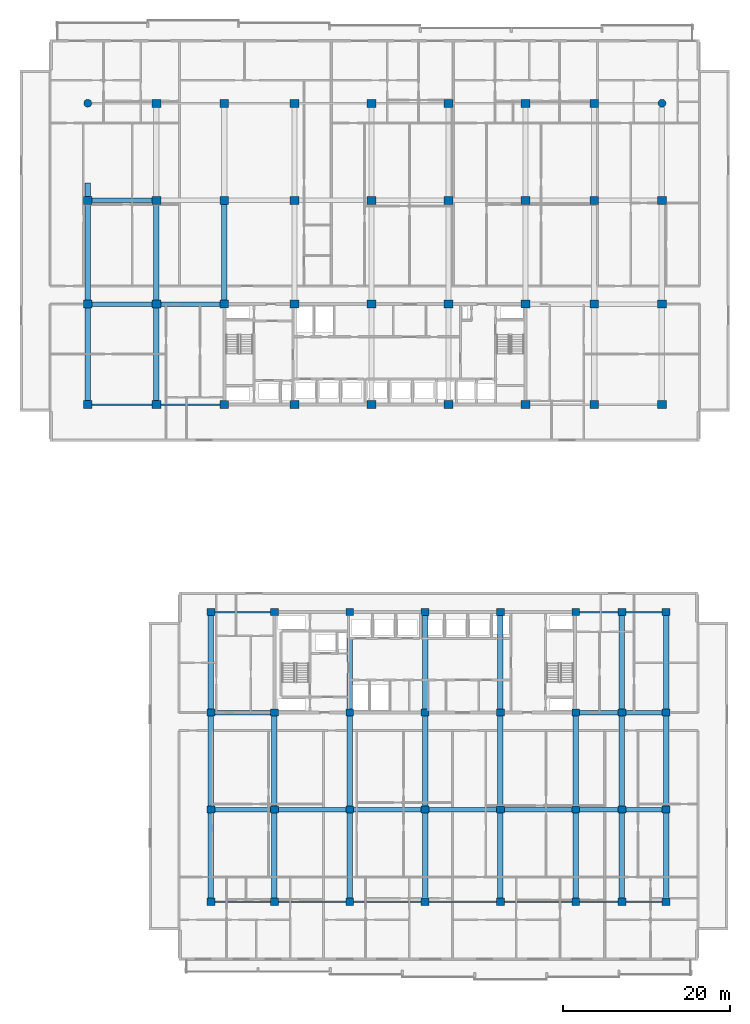
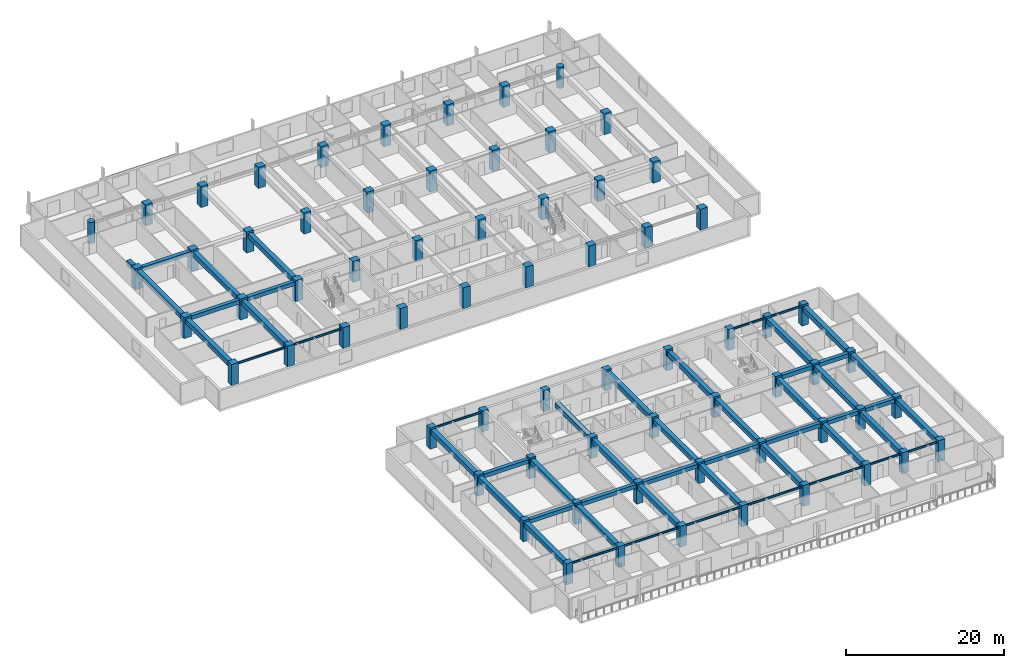
# One storey, part 1 of 23: 68 columns, 53 beams.
"""IFC4 building model written with IfcOpenShell, lengths in metres."""

import ifcopenshell
import ifcopenshell.guid

model = None  # the IFC model being written
_history = None  # IfcOwnerHistory: only IFC2X3 demands one
_inside = {}  # id of a spatial element -> (the spatial element, [elements in it])
_under = {}  # id of a project, library or spatial element -> (it, [spatial elements below it])
_declared = {}  # id of a project -> (the project, [libraries it declares])
_typed = {}  # id of a type object -> (the type object, [elements of that type])
_made_of = {}  # id of a material, layer set ... -> (it, [elements and type objects made of it])


def new_model(schema):
    """Start an empty IFC model of exactly this schema.

    Asked for "IFC4X3", IfcOpenShell would pick the latest addendum, in which some entities
    have other attributes; the version numbers below select the first issue.
    IFC2X3 requires an IfcOwnerHistory on every rooted entity: one is made here for all.
    """
    global model, _history
    if schema == "IFC4X3":
        model = ifcopenshell.file(schema_version=(4, 3, 0, 0))
    else:
        model = ifcopenshell.file(schema=schema)
    _inside.clear()
    _under.clear()
    _declared.clear()
    _typed.clear()
    _made_of.clear()
    _history = None
    if model.schema == "IFC2X3":
        org = make("IfcOrganization", Name="unknown")
        user = make(
            "IfcPersonAndOrganization",
            ThePerson=make("IfcPerson", FamilyName="unknown"),
            TheOrganization=org,
        )
        app = make(
            "IfcApplication",
            ApplicationDeveloper=org,
            Version="unknown",
            ApplicationFullName="unknown",
            ApplicationIdentifier="unknown",
        )
        _history = make(
            "IfcOwnerHistory",
            OwningUser=user,
            OwningApplication=app,
            ChangeAction="ADDED",
            CreationDate=0,
        )
    return model


def make(cls, **values):
    """One entity of the class cls with the attributes given. An attribute that is None is left unset."""
    return model.create_entity(
        cls, **{name: value for name, value in values.items() if value is not None}
    )


def rooted(cls, **values):
    """An entity with a GlobalId (a new one), such as an element, a storey or a relation."""
    return make(cls, GlobalId=ifcopenshell.guid.new(), OwnerHistory=_history, **values)


def si_unit(unit_type, name, prefix=None):
    """IfcSIUnit, for example si_unit("LENGTHUNIT", "METRE", prefix="MILLI")."""
    return make("IfcSIUnit", UnitType=unit_type, Prefix=prefix, Name=name)


def assignment(units):
    """IfcUnitAssignment: the units of a project."""
    return None if units is None else make("IfcUnitAssignment", Units=units)


def point(xyz):
    """IfcCartesianPoint."""
    return None if xyz is None else make("IfcCartesianPoint", Coordinates=xyz)


def direction(xyz):
    """IfcDirection."""
    return None if xyz is None else make("IfcDirection", DirectionRatios=xyz)


def frame(location, z_axis=None, x_axis=None):
    """IfcAxis2Placement3D, a coordinate frame: its origin and axes. An axis left out is left unset."""
    return make(
        "IfcAxis2Placement3D",
        Location=point(location),
        Axis=direction(z_axis),
        RefDirection=direction(x_axis),
    )


def frame_2d(location, x_axis=None):
    """IfcAxis2Placement2D, a coordinate frame in the plane: its origin and x axis."""
    return make(
        "IfcAxis2Placement2D", Location=point(location), RefDirection=direction(x_axis)
    )


def origin():
    """The frame at (0, 0, 0) with its axes left unset."""
    return frame((0.0, 0.0, 0.0))


def origin_2d():
    """The frame at (0, 0) in the plane with its x axis left unset."""
    return frame_2d((0.0, 0.0))


def place(relative_to, where):
    """IfcLocalPlacement: puts the frame where relative to a parent placement (None: the world)."""
    return make(
        "IfcLocalPlacement", PlacementRelTo=relative_to, RelativePlacement=where
    )


def context(
    kind, dimensions, precision=None, world=None, true_north=None, identifier=None
):
    """IfcGeometricRepresentationContext, for example the 3D "Model" context."""
    return make(
        "IfcGeometricRepresentationContext",
        ContextIdentifier=identifier,
        ContextType=kind,
        CoordinateSpaceDimension=dimensions,
        Precision=precision,
        WorldCoordinateSystem=world,
        TrueNorth=true_north,
    )


def subcontext(parent, identifier, kind, view, scale=None):
    """IfcGeometricRepresentationSubContext, for example "Body" below "Model"."""
    return make(
        "IfcGeometricRepresentationSubContext",
        ContextIdentifier=identifier,
        ContextType=kind,
        ParentContext=parent,
        TargetScale=scale,
        TargetView=view,
    )


def project(units=None, contexts=None):
    """IfcProject with its units and contexts."""
    return rooted(
        "IfcProject",
        Name="project",
        RepresentationContexts=contexts,
        UnitsInContext=assignment(units),
    )


def spatial(cls, under=None, at=None, **own):
    """A site, building, storey or space (cls), placed at a placement, below another one or the project."""
    s = rooted(cls, ObjectPlacement=at, **own)
    if under is not None:
        _under.setdefault(under.id(), (under, []))[1].append(s)
    return s


def profile(cls, at=None, kind="AREA", **sizes):
    """A parametric profile (cls). Its sizes go by their IFC names, for example OverallWidth=200.0."""
    return make(cls, ProfileType=kind, Position=at, **sizes)


def rectangle(**sizes):
    """IfcRectangleProfileDef."""
    return profile("IfcRectangleProfileDef", **sizes)


def circle(**sizes):
    """IfcCircleProfileDef."""
    return profile("IfcCircleProfileDef", **sizes)


def i_section(**sizes):
    """IfcIShapeProfileDef."""
    return profile("IfcIShapeProfileDef", **sizes)


def extrude(swept, where, along, depth):
    """IfcExtrudedAreaSolid: the profile swept, set in the frame where, extruded along a direction by depth."""
    return make(
        "IfcExtrudedAreaSolid",
        SweptArea=swept,
        Position=where,
        ExtrudedDirection=direction(along),
        Depth=depth,
    )


def shape(context_of_items, identifier, shape_type, items):
    """IfcShapeRepresentation: the items that make up one representation, for example the "Body"."""
    return make(
        "IfcShapeRepresentation",
        ContextOfItems=context_of_items,
        RepresentationIdentifier=identifier,
        RepresentationType=shape_type,
        Items=items,
    )


def material(Name=None, Category=None):
    """IfcMaterial."""
    return make("IfcMaterial", Name=Name, Category=Category)


def material_profile(
    of_material, cross_section, Name=None, Category=None, Priority=None
):
    """IfcMaterialProfile: a cross section and its material."""
    return make(
        "IfcMaterialProfile",
        Name=Name,
        Material=of_material,
        Profile=cross_section,
        Priority=Priority,
        Category=Category,
    )


def profile_set(profiles, Name=None, composite=None):
    """IfcMaterialProfileSet."""
    return make(
        "IfcMaterialProfileSet",
        Name=Name,
        MaterialProfiles=profiles,
        CompositeProfile=composite,
    )


def made_of(thing, what):
    """Note that an element or type object is made of a material, layer set ...; save() writes the relation."""
    if what is not None:
        _made_of.setdefault(what.id(), (what, []))[1].append(thing)
    return thing


def type_object(cls, material=None, **own):
    """A type object (cls), such as IfcWallType, which elements share."""
    return made_of(rooted(cls, **own), material)


def element(
    cls,
    number,
    at=None,
    inside=None,
    cuts=None,
    type_object=None,
    material=None,
    context=None,
    identifier="Body",
    shape_type=None,
    held_by="IfcProductDefinitionShape",
    body=None,
    shapes=None,
    **own,
):
    """One element of the class cls, such as IfcWall. Its Tag is "e" and its number.

    at: its placement. inside: the storey or other place that contains it. cuts: it is an
    opening in that element (IfcRelVoidsElement). A single representation is given by context,
    identifier, shape_type and body (its items); several are given by shapes. held_by: the class
    of the entity that holds the representations. save() writes the other relations.
    """
    e = rooted(cls, Tag="e%d" % number, ObjectPlacement=at, **own)
    if body is not None:
        shapes = [shape(context, identifier, shape_type, body)]
    if shapes is not None:
        e.Representation = make(held_by, Representations=shapes)
    if inside is not None:
        _inside.setdefault(inside.id(), (inside, []))[1].append(e)
    if cuts is not None:
        rooted(
            "IfcRelVoidsElement", RelatingBuildingElement=cuts, RelatedOpeningElement=e
        )
    if type_object is not None:
        _typed.setdefault(type_object.id(), (type_object, []))[1].append(e)
    return made_of(e, material)


def aggregate(whole, parts):
    """IfcRelAggregates: a whole, such as a stair, and the parts it consists of."""
    return rooted("IfcRelAggregates", RelatingObject=whole, RelatedObjects=parts)


def save(model, path):
    """Write the relations noted so far, then the file.

    IfcRelAggregates (storeys below a building ...), IfcRelContainedInSpatialStructure (elements
    in a storey), IfcRelDefinesByType, IfcRelAssociatesMaterial and IfcRelDeclares: one each for
    every whole, place, type object, material and project.
    """
    for whole, parts in _under.values():
        aggregate(whole, parts)
    for where, things in _inside.values():
        rooted(
            "IfcRelContainedInSpatialStructure",
            RelatedElements=things,
            RelatingStructure=where,
        )
    for kind, things in _typed.values():
        rooted("IfcRelDefinesByType", RelatedObjects=things, RelatingType=kind)
    for what, things in _made_of.values():
        rooted("IfcRelAssociatesMaterial", RelatedObjects=things, RelatingMaterial=what)
    for by, libraries in _declared.values():
        rooted("IfcRelDeclares", RelatingContext=by, RelatedDefinitions=libraries)
    model.write(path)


model = new_model("IFC4")

# Units and contexts
model_context = context("Model", 3, precision=1e-05, world=origin(), true_north=direction((0.0, 1.0)))
body_context = subcontext(model_context, "Body", "Model", "MODEL_VIEW")
ifc_project = project(units=[si_unit("LENGTHUNIT", "METRE"), si_unit("AREAUNIT", "SQUARE_METRE"), si_unit("VOLUMEUNIT", "CUBIC_METRE"), si_unit("PLANEANGLEUNIT", "RADIAN"), si_unit("MASSUNIT", "GRAM", prefix="KILO")], contexts=[model_context])

# Site, building, storey
site_placement = place(None, origin())
site = spatial("IfcSite", under=ifc_project, at=site_placement, CompositionType="ELEMENT")
building_placement = place(site_placement, origin())
building = spatial("IfcBuilding", under=site, at=building_placement, Name="Korimba Cascade Residences", CompositionType="ELEMENT")
storey_placement = place(building_placement, frame((0.0, 0.0, 46.75)))
storey = spatial("IfcBuildingStorey", under=building, at=storey_placement, Name="L12", CompositionType="ELEMENT", Elevation=46.75)

# Columns
ifc_material_1 = material(Name="Concrete C80/95", Category="concrete")
ifc_material_profile_1 = material_profile(ifc_material_1, rectangle(XDim=1.050048828125, YDim=0.949951171875, at=origin_2d()), Name="Concrete C80/95")
ifc_profile_set_1 = profile_set([ifc_material_profile_1], Name="Concrete C80/95")
column_type_1 = type_object("IfcColumnType", Name="COL-RC-1050", PredefinedType="COLUMN", material=ifc_profile_set_1)
for number, where, z_axis, x_axis, name in (
    (1, (59.800048828125, 55.199951171875, 0.0), (0.0, 0.0, 1.0), (1.0, 0.0, 0.0), "L12 Tower 1 Column 1.1"),
    (2, (59.800048828125, 67.199951171875, 0.0), (0.0, 0.0, 1.0), (1.0, 0.0, 0.0), "L12 Tower 1 Column 1.2"),
    (3, (59.800048828125, 79.60009765625, 0.0), (0.0, 0.0, 1.0), (1.0, 0.0, 0.0), "L12 Tower 1 Column 1.3"),
    (4, (68.0, 55.199951171875, 0.0), (0.0, 0.0, 1.0), (1.0, 0.0, 0.0), "L12 Tower 1 Column 2.1"),
    (5, (68.0, 67.199951171875, 0.0), (0.0, 0.0, 1.0), (1.0, 0.0, 0.0), "L12 Tower 1 Column 2.2"),
    (6, (68.0, 79.60009765625, 0.0), (0.0, 0.0, 1.0), (1.0, 0.0, 0.0), "L12 Tower 1 Column 2.3"),
    (7, (68.0, 91.199951171875, 0.0), (0.0, 0.0, 1.0), (1.0, 0.0, 0.0), "L12 Tower 1 Column 2.4"),
    (8, (76.10009765625, 55.199951171875, 0.0), (0.0, 0.0, 1.0), (1.0, 0.0, 0.0), "L12 Tower 1 Column 3.1"),
    (9, (76.10009765625, 67.199951171875, 0.0), (0.0, 0.0, 1.0), (1.0, 0.0, 0.0), "L12 Tower 1 Column 3.2"),
    (10, (76.10009765625, 79.60009765625, 0.0), (0.0, 0.0, 1.0), (1.0, 0.0, 0.0), "L12 Tower 1 Column 3.3"),
    (11, (76.10009765625, 91.199951171875, 0.0), (0.0, 0.0, 1.0), (1.0, 0.0, 0.0), "L12 Tower 1 Column 3.4"),
    (12, (84.5, 55.199951171875, 0.0), (0.0, 0.0, 1.0), (1.0, 0.0, 0.0), "L12 Tower 1 Column 4.1"),
    (13, (84.5, 67.199951171875, 0.0), (0.0, 0.0, 1.0), (1.0, 0.0, 0.0), "L12 Tower 1 Column 4.2"),
    (14, (84.5, 79.60009765625, 0.0), (0.0, 0.0, 1.0), (1.0, 0.0, 0.0), "L12 Tower 1 Column 4.3"),
    (15, (84.5, 91.199951171875, 0.0), (0.0, 0.0, 1.0), (1.0, 0.0, 0.0), "L12 Tower 1 Column 4.4"),
    (16, (93.699951171875, 55.199951171875, 0.0), (0.0, 0.0, 1.0), (1.0, 0.0, 0.0), "L12 Tower 1 Column 5.1"),
    (17, (93.699951171875, 67.199951171875, 0.0), (0.0, 0.0, 1.0), (1.0, 0.0, 0.0), "L12 Tower 1 Column 5.2"),
    (18, (93.699951171875, 79.60009765625, 0.0), (0.0, 0.0, 1.0), (1.0, 0.0, 0.0), "L12 Tower 1 Column 5.3"),
    (19, (93.699951171875, 91.199951171875, 0.0), (0.0, 0.0, 1.0), (1.0, 0.0, 0.0), "L12 Tower 1 Column 5.4"),
    (20, (102.89990234375, 55.199951171875, 0.0), (0.0, 0.0, 1.0), (1.0, 0.0, 0.0), "L12 Tower 1 Column 6.1"),
    (21, (102.89990234375, 67.199951171875, 0.0), (0.0, 0.0, 1.0), (1.0, 0.0, 0.0), "L12 Tower 1 Column 6.2"),
    (22, (102.89990234375, 79.60009765625, 0.0), (0.0, 0.0, 1.0), (1.0, 0.0, 0.0), "L12 Tower 1 Column 6.3"),
    (23, (102.89990234375, 91.199951171875, 0.0), (0.0, 0.0, 1.0), (1.0, 0.0, 0.0), "L12 Tower 1 Column 6.4"),
    (24, (112.10009765625, 55.199951171875, 0.0), (0.0, 0.0, 1.0), (1.0, 0.0, 0.0), "L12 Tower 1 Column 7.1"),
    (25, (112.10009765625, 67.199951171875, 0.0), (0.0, 0.0, 1.0), (1.0, 0.0, 0.0), "L12 Tower 1 Column 7.2"),
    (26, (112.10009765625, 79.60009765625, 0.0), (0.0, 0.0, 1.0), (1.0, 0.0, 0.0), "L12 Tower 1 Column 7.3"),
    (27, (112.10009765625, 91.199951171875, 0.0), (0.0, 0.0, 1.0), (1.0, 0.0, 0.0), "L12 Tower 1 Column 7.4"),
    (28, (120.300048828125, 55.199951171875, 0.0), (0.0, 0.0, 1.0), (1.0, 0.0, 0.0), "L12 Tower 1 Column 8.1"),
    (29, (120.300048828125, 67.199951171875, 0.0), (0.0, 0.0, 1.0), (1.0, 0.0, 0.0), "L12 Tower 1 Column 8.2"),
    (30, (120.300048828125, 79.60009765625, 0.0), (0.0, 0.0, 1.0), (1.0, 0.0, 0.0), "L12 Tower 1 Column 8.3"),
    (31, (120.300048828125, 91.199951171875, 0.0), (0.0, 0.0, 1.0), (1.0, 0.0, 0.0), "L12 Tower 1 Column 8.4"),
    (32, (128.39990234375, 55.199951171875, 0.0), (0.0, 0.0, 1.0), (1.0, 0.0, 0.0), "L12 Tower 1 Column 9.1"),
    (33, (128.39990234375, 67.199951171875, 0.0), (0.0, 0.0, 1.0), (1.0, 0.0, 0.0), "L12 Tower 1 Column 9.2"),
    (34, (128.39990234375, 79.60009765625, 0.0), (0.0, 0.0, 1.0), (1.0, 0.0, 0.0), "L12 Tower 1 Column 9.3"),
):
    element("IfcColumn", number, at=place(storey_placement, frame(where, z_axis=z_axis, x_axis=x_axis)), inside=storey, type_object=column_type_1, Name=name, PredefinedType="COLUMN", context=body_context, shape_type="SweptSolid", body=[
        extrude(rectangle(XDim=1.050048828125, YDim=0.949951171875, at=origin_2d()), origin(), (0.0, 0.0, 1.0), 3.25),
    ])
ifc_material_2 = material(Name="Concrete C65/80", Category="concrete")
ifc_material_profile_2 = material_profile(ifc_material_2, rectangle(XDim=0.949951171875, YDim=0.85009765625, at=origin_2d()), Name="Concrete C65/80")
ifc_profile_set_2 = profile_set([ifc_material_profile_2], Name="Concrete C65/80")
column_type_2 = type_object("IfcColumnType", Name="COL-RC-950", PredefinedType="COLUMN", material=ifc_profile_set_2)
for number, where, z_axis, x_axis, name in (
    (35, (74.5, -4.199951171875, 0.0), (0.0, 0.0, 1.0), (1.0, 0.0, 0.0), "L12 Tower 2 Column 1.1"),
    (36, (74.5, 6.800048828125, 0.0), (0.0, 0.0, 1.0), (1.0, 0.0, 0.0), "L12 Tower 2 Column 1.2"),
    (37, (74.5, 18.39990234375, 0.0), (0.0, 0.0, 1.0), (1.0, 0.0, 0.0), "L12 Tower 2 Column 1.3"),
    (38, (74.5, 30.39990234375, 0.0), (0.0, 0.0, 1.0), (1.0, 0.0, 0.0), "L12 Tower 2 Column 1.4"),
    (39, (82.10009765625, -4.199951171875, 0.0), (0.0, 0.0, 1.0), (1.0, 0.0, 0.0), "L12 Tower 2 Column 2.1"),
    (40, (82.10009765625, 6.800048828125, 0.0), (0.0, 0.0, 1.0), (1.0, 0.0, 0.0), "L12 Tower 2 Column 2.2"),
    (41, (82.10009765625, 18.39990234375, 0.0), (0.0, 0.0, 1.0), (1.0, 0.0, 0.0), "L12 Tower 2 Column 2.3"),
    (42, (82.10009765625, 30.39990234375, 0.0), (0.0, 0.0, 1.0), (1.0, 0.0, 0.0), "L12 Tower 2 Column 2.4"),
    (43, (91.10009765625, -4.199951171875, 0.0), (0.0, 0.0, 1.0), (1.0, 0.0, 0.0), "L12 Tower 2 Column 3.1"),
    (44, (91.10009765625, 6.800048828125, 0.0), (0.0, 0.0, 1.0), (1.0, 0.0, 0.0), "L12 Tower 2 Column 3.2"),
    (45, (91.10009765625, 18.39990234375, 0.0), (0.0, 0.0, 1.0), (1.0, 0.0, 0.0), "L12 Tower 2 Column 3.3"),
    (46, (91.10009765625, 30.39990234375, 0.0), (0.0, 0.0, 1.0), (1.0, 0.0, 0.0), "L12 Tower 2 Column 3.4"),
    (47, (100.10009765625, -4.199951171875, 0.0), (0.0, 0.0, 1.0), (1.0, 0.0, 0.0), "L12 Tower 2 Column 4.1"),
    (48, (100.10009765625, 6.800048828125, 0.0), (0.0, 0.0, 1.0), (1.0, 0.0, 0.0), "L12 Tower 2 Column 4.2"),
    (49, (100.10009765625, 18.39990234375, 0.0), (0.0, 0.0, 1.0), (1.0, 0.0, 0.0), "L12 Tower 2 Column 4.3"),
    (50, (100.10009765625, 30.39990234375, 0.0), (0.0, 0.0, 1.0), (1.0, 0.0, 0.0), "L12 Tower 2 Column 4.4"),
    (51, (109.10009765625, -4.199951171875, 0.0), (0.0, 0.0, 1.0), (1.0, 0.0, 0.0), "L12 Tower 2 Column 5.1"),
    (52, (109.10009765625, 6.800048828125, 0.0), (0.0, 0.0, 1.0), (1.0, 0.0, 0.0), "L12 Tower 2 Column 5.2"),
    (53, (109.10009765625, 18.39990234375, 0.0), (0.0, 0.0, 1.0), (1.0, 0.0, 0.0), "L12 Tower 2 Column 5.3"),
    (54, (109.10009765625, 30.39990234375, 0.0), (0.0, 0.0, 1.0), (1.0, 0.0, 0.0), "L12 Tower 2 Column 5.4"),
    (55, (118.10009765625, -4.199951171875, 0.0), (0.0, 0.0, 1.0), (1.0, 0.0, 0.0), "L12 Tower 2 Column 6.1"),
    (56, (118.10009765625, 6.800048828125, 0.0), (0.0, 0.0, 1.0), (1.0, 0.0, 0.0), "L12 Tower 2 Column 6.2"),
    (57, (118.10009765625, 18.39990234375, 0.0), (0.0, 0.0, 1.0), (1.0, 0.0, 0.0), "L12 Tower 2 Column 6.3"),
    (58, (118.10009765625, 30.39990234375, 0.0), (0.0, 0.0, 1.0), (1.0, 0.0, 0.0), "L12 Tower 2 Column 6.4"),
    (59, (123.60009765625, -4.199951171875, 0.0), (0.0, 0.0, 1.0), (1.0, 0.0, 0.0), "L12 Tower 2 Column 7.1"),
    (60, (123.60009765625, 6.800048828125, 0.0), (0.0, 0.0, 1.0), (1.0, 0.0, 0.0), "L12 Tower 2 Column 7.2"),
    (61, (123.60009765625, 18.39990234375, 0.0), (0.0, 0.0, 1.0), (1.0, 0.0, 0.0), "L12 Tower 2 Column 7.3"),
    (62, (123.60009765625, 30.39990234375, 0.0), (0.0, 0.0, 1.0), (1.0, 0.0, 0.0), "L12 Tower 2 Column 7.4"),
    (63, (128.89990234375, -4.199951171875, 0.0), (0.0, 0.0, 1.0), (1.0, 0.0, 0.0), "L12 Tower 2 Column 8.1"),
    (64, (128.89990234375, 6.800048828125, 0.0), (0.0, 0.0, 1.0), (1.0, 0.0, 0.0), "L12 Tower 2 Column 8.2"),
    (65, (128.89990234375, 18.39990234375, 0.0), (0.0, 0.0, 1.0), (1.0, 0.0, 0.0), "L12 Tower 2 Column 8.3"),
    (66, (128.89990234375, 30.39990234375, 0.0), (0.0, 0.0, 1.0), (1.0, 0.0, 0.0), "L12 Tower 2 Column 8.4"),
):
    element("IfcColumn", number, at=place(storey_placement, frame(where, z_axis=z_axis, x_axis=x_axis)), inside=storey, type_object=column_type_2, Name=name, PredefinedType="COLUMN", context=body_context, shape_type="SweptSolid", body=[
        extrude(rectangle(XDim=0.949951171875, YDim=0.85009765625, at=origin_2d()), origin(), (0.0, 0.0, 1.0), 3.25),
    ])
ifc_material_profile_3 = material_profile(ifc_material_1, circle(Radius=0.47509765625, at=origin_2d()), Name="Concrete C80/95")
ifc_profile_set_3 = profile_set([ifc_material_profile_3], Name="Concrete C80/95")
column_type_3 = type_object("IfcColumnType", Name="COL-RC-D950", PredefinedType="COLUMN", material=ifc_profile_set_3)
for number, where, z_axis, x_axis, name in (
    (67, (59.800048828125, 91.199951171875, 0.0), (0.0, 0.0, 1.0), (1.0, 0.0, 0.0), "L12 Tower 1 Column 1.4"),
    (68, (128.39990234375, 91.199951171875, 0.0), (0.0, 0.0, 1.0), (1.0, 0.0, 0.0), "L12 Tower 1 Column 9.4"),
):
    element("IfcColumn", number, at=place(storey_placement, frame(where, z_axis=z_axis, x_axis=x_axis)), inside=storey, type_object=column_type_3, Name=name, PredefinedType="COLUMN", context=body_context, shape_type="SweptSolid", body=[
        extrude(circle(Radius=0.47509765625, at=origin_2d()), origin(), (0.0, 0.0, 1.0), 3.25),
    ])

# Beams
ifc_material_3 = material(Name="Concrete C50/60", Category="concrete")
ifc_material_profile_4 = material_profile(ifc_material_3, rectangle(XDim=0.550048828125, YDim=0.60009765625, at=origin_2d()), Name="Concrete C50/60")
ifc_profile_set_4 = profile_set([ifc_material_profile_4], Name="Concrete C50/60")
beam_type_1 = type_object("IfcBeamType", Name="BM-RC-B600", PredefinedType="BEAM", material=ifc_profile_set_4)
beam_1_placement = place(storey_placement, frame((60.324951171875, 67.199951171875, 2.669921875), z_axis=(1.0, 0.0, 0.0), x_axis=(0.0, 1.0, 0.0)))
element("IfcBeam", 69, at=beam_1_placement, inside=storey, type_object=beam_type_1, Name="L12 T1 E-W Girder Y2 Bay 1", PredefinedType="BEAM", context=body_context, shape_type="SweptSolid", body=[
    extrude(rectangle(XDim=0.550048828125, YDim=0.60009765625, at=origin_2d()), origin(), (0.0, 0.0, 1.0), 7.150146484375),
])
beam_2_placement = place(storey_placement, frame((68.52490234375, 67.199951171875, 2.669921875), z_axis=(1.0, 0.0, 0.0), x_axis=(0.0, 1.0, 0.0)))
element("IfcBeam", 70, at=beam_2_placement, inside=storey, type_object=beam_type_1, Name="L12 T1 E-W Girder Y2 Bay 2", PredefinedType="BEAM", context=body_context, shape_type="SweptSolid", body=[
    extrude(rectangle(XDim=0.550048828125, YDim=0.60009765625, at=origin_2d()), origin(), (0.0, 0.0, 1.0), 7.050048828125),
])
beam_3_placement = place(storey_placement, frame((60.324951171875, 79.60009765625, 2.669921875), z_axis=(1.0, 0.0, 0.0), x_axis=(0.0, 1.0, 0.0)))
element("IfcBeam", 71, at=beam_3_placement, inside=storey, type_object=beam_type_1, Name="L12 T1 E-W Girder Y3 Bay 1", PredefinedType="BEAM", context=body_context, shape_type="SweptSolid", body=[
    extrude(rectangle(XDim=0.550048828125, YDim=0.60009765625, at=origin_2d()), origin(), (0.0, 0.0, 1.0), 7.150146484375),
])
beam_4_placement = place(storey_placement, frame((74.97509765625, 6.800048828125, 2.669921875), z_axis=(1.0, 0.0, 0.0), x_axis=(0.0, 1.0, 0.0)))
element("IfcBeam", 72, at=beam_4_placement, inside=storey, type_object=beam_type_1, Name="L12 T2 E-W Girder Y2 Bay 1", PredefinedType="BEAM", context=body_context, shape_type="SweptSolid", body=[
    extrude(rectangle(XDim=0.550048828125, YDim=0.60009765625, at=origin_2d()), origin(), (0.0, 0.0, 1.0), 6.64990234375),
])
for number, where, z_axis, x_axis, name in (
    (73, (82.574951171875, 6.800048828125, 2.669921875), (1.0, 0.0, 0.0), (0.0, 1.0, 0.0), "L12 T2 E-W Girder Y2 Bay 2"),
    (74, (91.574951171875, 6.800048828125, 2.669921875), (1.0, 0.0, 0.0), (0.0, 1.0, 0.0), "L12 T2 E-W Girder Y2 Bay 3"),
    (75, (100.574951171875, 6.800048828125, 2.669921875), (1.0, 0.0, 0.0), (0.0, 1.0, 0.0), "L12 T2 E-W Girder Y2 Bay 4"),
    (76, (109.574951171875, 6.800048828125, 2.669921875), (1.0, 0.0, 0.0), (0.0, 1.0, 0.0), "L12 T2 E-W Girder Y2 Bay 5"),
):
    element("IfcBeam", number, at=place(storey_placement, frame(where, z_axis=z_axis, x_axis=x_axis)), inside=storey, type_object=beam_type_1, Name=name, PredefinedType="BEAM", context=body_context, shape_type="SweptSolid", body=[
        extrude(rectangle(XDim=0.550048828125, YDim=0.60009765625, at=origin_2d()), origin(), (0.0, 0.0, 1.0), 8.050048828125),
    ])
beam_5_placement = place(storey_placement, frame((118.574951171875, 6.800048828125, 2.669921875), z_axis=(1.0, 0.0, 0.0), x_axis=(0.0, 1.0, 0.0)))
element("IfcBeam", 77, at=beam_5_placement, inside=storey, type_object=beam_type_1, Name="L12 T2 E-W Girder Y2 Bay 6", PredefinedType="BEAM", context=body_context, shape_type="SweptSolid", body=[
    extrude(rectangle(XDim=0.550048828125, YDim=0.60009765625, at=origin_2d()), origin(), (0.0, 0.0, 1.0), 4.550048828125),
])
beam_6_placement = place(storey_placement, frame((124.074951171875, 6.800048828125, 2.669921875), z_axis=(1.0, 0.0, 0.0), x_axis=(0.0, 1.0, 0.0)))
element("IfcBeam", 78, at=beam_6_placement, inside=storey, type_object=beam_type_1, Name="L12 T2 E-W Girder Y2 Bay 7", PredefinedType="BEAM", context=body_context, shape_type="SweptSolid", body=[
    extrude(rectangle(XDim=0.550048828125, YDim=0.60009765625, at=origin_2d()), origin(), (0.0, 0.0, 1.0), 4.35009765625),
])
beam_7_placement = place(storey_placement, frame((74.97509765625, 18.39990234375, 2.669921875), z_axis=(1.0, 0.0, 0.0), x_axis=(0.0, 1.0, 0.0)))
element("IfcBeam", 79, at=beam_7_placement, inside=storey, type_object=beam_type_1, Name="L12 T2 E-W Girder Y3 Bay 1", PredefinedType="BEAM", context=body_context, shape_type="SweptSolid", body=[
    extrude(rectangle(XDim=0.550048828125, YDim=0.60009765625, at=origin_2d()), origin(), (0.0, 0.0, 1.0), 6.64990234375),
])
beam_8_placement = place(storey_placement, frame((118.574951171875, 18.39990234375, 2.669921875), z_axis=(1.0, 0.0, 0.0), x_axis=(0.0, 1.0, 0.0)))
element("IfcBeam", 80, at=beam_8_placement, inside=storey, type_object=beam_type_1, Name="L12 T2 E-W Girder Y3 Bay 6", PredefinedType="BEAM", context=body_context, shape_type="SweptSolid", body=[
    extrude(rectangle(XDim=0.550048828125, YDim=0.60009765625, at=origin_2d()), origin(), (0.0, 0.0, 1.0), 4.550048828125),
])
beam_9_placement = place(storey_placement, frame((124.074951171875, 18.39990234375, 2.669921875), z_axis=(1.0, 0.0, 0.0), x_axis=(0.0, 1.0, 0.0)))
element("IfcBeam", 81, at=beam_9_placement, inside=storey, type_object=beam_type_1, Name="L12 T2 E-W Girder Y3 Bay 7", PredefinedType="BEAM", context=body_context, shape_type="SweptSolid", body=[
    extrude(rectangle(XDim=0.550048828125, YDim=0.60009765625, at=origin_2d()), origin(), (0.0, 0.0, 1.0), 4.35009765625),
])
ifc_material_profile_5 = material_profile(ifc_material_3, rectangle(XDim=0.64990234375, YDim=0.75, at=origin_2d()), Name="Concrete C50/60")
ifc_profile_set_5 = profile_set([ifc_material_profile_5], Name="Concrete C50/60")
beam_type_2 = type_object("IfcBeamType", Name="BM-RC-G750", PredefinedType="BEAM", material=ifc_profile_set_5)
beam_10_placement = place(storey_placement, frame((59.800048828125, 55.675048828125, 2.594970703125), z_axis=(0.0, 1.0, 0.0), x_axis=(-1.0, 0.0, 0.0)))
element("IfcBeam", 82, at=beam_10_placement, inside=storey, type_object=beam_type_2, Name="L12 T1 N-S Girder X1 Seg 1", PredefinedType="BEAM", context=body_context, shape_type="SweptSolid", body=[
    extrude(rectangle(XDim=0.64990234375, YDim=0.75, at=origin_2d()), origin(), (0.0, 0.0, 1.0), 11.050048828125),
])
beam_11_placement = place(storey_placement, frame((59.800048828125, 67.675048828125, 2.594970703125), z_axis=(0.0, 1.0, 0.0), x_axis=(-1.0, 0.0, 0.0)))
element("IfcBeam", 83, at=beam_11_placement, inside=storey, type_object=beam_type_2, Name="L12 T1 N-S Girder X1 Seg 2", PredefinedType="BEAM", context=body_context, shape_type="SweptSolid", body=[
    extrude(rectangle(XDim=0.64990234375, YDim=0.75, at=origin_2d()), origin(), (0.0, 0.0, 1.0), 11.449951171875),
])
beam_12_placement = place(storey_placement, frame((59.800048828125, 80.074951171875, 2.594970703125), z_axis=(0.0, 1.0, 0.0), x_axis=(-1.0, 0.0, 0.0)))
element("IfcBeam", 84, at=beam_12_placement, inside=storey, type_object=beam_type_2, Name="L12 T1 N-S Girder X1 Seg 3", PredefinedType="BEAM", context=body_context, shape_type="SweptSolid", body=[
    extrude(rectangle(XDim=0.64990234375, YDim=0.75, at=origin_2d()), origin(), (0.0, 0.0, 1.0), 1.625),
])
beam_13_placement = place(storey_placement, frame((68.0, 55.675048828125, 2.594970703125), z_axis=(0.0, 1.0, 0.0), x_axis=(-1.0, 0.0, 0.0)))
element("IfcBeam", 85, at=beam_13_placement, inside=storey, type_object=beam_type_2, Name="L12 T1 N-S Girder X2 Seg 1", PredefinedType="BEAM", context=body_context, shape_type="SweptSolid", body=[
    extrude(rectangle(XDim=0.64990234375, YDim=0.75, at=origin_2d()), origin(), (0.0, 0.0, 1.0), 11.050048828125),
])
for number, where, z_axis, x_axis, name in (
    (86, (68.0, 67.675048828125, 2.594970703125), (0.0, 1.0, 0.0), (-1.0, 0.0, 0.0), "L12 T1 N-S Girder X2 Seg 2"),
    (87, (76.10009765625, 67.675048828125, 2.594970703125), (0.0, 1.0, 0.0), (-1.0, 0.0, 0.0), "L12 T1 N-S Girder X3 Seg 2"),
):
    element("IfcBeam", number, at=place(storey_placement, frame(where, z_axis=z_axis, x_axis=x_axis)), inside=storey, type_object=beam_type_2, Name=name, PredefinedType="BEAM", context=body_context, shape_type="SweptSolid", body=[
        extrude(rectangle(XDim=0.64990234375, YDim=0.75, at=origin_2d()), origin(), (0.0, 0.0, 1.0), 11.449951171875),
    ])
beam_14_placement = place(storey_placement, frame((74.5, -3.77490234375, 2.594970703125), z_axis=(0.0, 1.0, 0.0), x_axis=(-1.0, 0.0, 0.0)))
element("IfcBeam", 88, at=beam_14_placement, inside=storey, type_object=beam_type_2, Name="L12 T2 N-S Girder X1 Seg 1", PredefinedType="BEAM", context=body_context, shape_type="SweptSolid", body=[
    extrude(rectangle(XDim=0.64990234375, YDim=0.75, at=origin_2d()), origin(), (0.0, 0.0, 1.0), 10.14990234375),
])
beam_15_placement = place(storey_placement, frame((74.5, 7.22509765625, 2.594970703125), z_axis=(0.0, 1.0, 0.0), x_axis=(-1.0, 0.0, 0.0)))
element("IfcBeam", 89, at=beam_15_placement, inside=storey, type_object=beam_type_2, Name="L12 T2 N-S Girder X1 Seg 2", PredefinedType="BEAM", context=body_context, shape_type="SweptSolid", body=[
    extrude(rectangle(XDim=0.64990234375, YDim=0.75, at=origin_2d()), origin(), (0.0, 0.0, 1.0), 10.75),
])
beam_16_placement = place(storey_placement, frame((74.5, 18.824951171875, 2.594970703125), z_axis=(0.0, 1.0, 0.0), x_axis=(-1.0, 0.0, 0.0)))
element("IfcBeam", 90, at=beam_16_placement, inside=storey, type_object=beam_type_2, Name="L12 T2 N-S Girder X1 Seg 3", PredefinedType="BEAM", context=body_context, shape_type="SweptSolid", body=[
    extrude(rectangle(XDim=0.64990234375, YDim=0.75, at=origin_2d()), origin(), (0.0, 0.0, 1.0), 11.150146484375),
])
beam_17_placement = place(storey_placement, frame((82.10009765625, -3.77490234375, 2.594970703125), z_axis=(0.0, 1.0, 0.0), x_axis=(-1.0, 0.0, 0.0)))
element("IfcBeam", 91, at=beam_17_placement, inside=storey, type_object=beam_type_2, Name="L12 T2 N-S Girder X2 Seg 1", PredefinedType="BEAM", context=body_context, shape_type="SweptSolid", body=[
    extrude(rectangle(XDim=0.64990234375, YDim=0.75, at=origin_2d()), origin(), (0.0, 0.0, 1.0), 10.14990234375),
])
beam_18_placement = place(storey_placement, frame((82.10009765625, 7.22509765625, 2.594970703125), z_axis=(0.0, 1.0, 0.0), x_axis=(-1.0, 0.0, 0.0)))
element("IfcBeam", 92, at=beam_18_placement, inside=storey, type_object=beam_type_2, Name="L12 T2 N-S Girder X2 Seg 2", PredefinedType="BEAM", context=body_context, shape_type="SweptSolid", body=[
    extrude(rectangle(XDim=0.64990234375, YDim=0.75, at=origin_2d()), origin(), (0.0, 0.0, 1.0), 10.75),
])
beam_19_placement = place(storey_placement, frame((91.10009765625, -3.77490234375, 2.594970703125), z_axis=(0.0, 1.0, 0.0), x_axis=(-1.0, 0.0, 0.0)))
element("IfcBeam", 93, at=beam_19_placement, inside=storey, type_object=beam_type_2, Name="L12 T2 N-S Girder X3 Seg 1", PredefinedType="BEAM", context=body_context, shape_type="SweptSolid", body=[
    extrude(rectangle(XDim=0.64990234375, YDim=0.75, at=origin_2d()), origin(), (0.0, 0.0, 1.0), 10.14990234375),
])
beam_20_placement = place(storey_placement, frame((91.10009765625, 7.22509765625, 2.594970703125), z_axis=(0.0, 1.0, 0.0), x_axis=(-1.0, 0.0, 0.0)))
element("IfcBeam", 94, at=beam_20_placement, inside=storey, type_object=beam_type_2, Name="L12 T2 N-S Girder X3 Seg 2", PredefinedType="BEAM", context=body_context, shape_type="SweptSolid", body=[
    extrude(rectangle(XDim=0.64990234375, YDim=0.75, at=origin_2d()), origin(), (0.0, 0.0, 1.0), 10.75),
])
beam_21_placement = place(storey_placement, frame((91.10009765625, 18.824951171875, 2.594970703125), z_axis=(0.0, 1.0, 0.0), x_axis=(-1.0, 0.0, 0.0)))
element("IfcBeam", 95, at=beam_21_placement, inside=storey, type_object=beam_type_2, Name="L12 T2 N-S Girder X3 Seg 3", PredefinedType="BEAM", context=body_context, shape_type="SweptSolid", body=[
    extrude(rectangle(XDim=0.64990234375, YDim=0.75, at=origin_2d()), origin(), (0.0, 0.0, 1.0), 8.51513671875),
])
beam_22_placement = place(storey_placement, frame((100.10009765625, -3.77490234375, 2.594970703125), z_axis=(0.0, 1.0, 0.0), x_axis=(-1.0, 0.0, 0.0)))
element("IfcBeam", 96, at=beam_22_placement, inside=storey, type_object=beam_type_2, Name="L12 T2 N-S Girder X4 Seg 1", PredefinedType="BEAM", context=body_context, shape_type="SweptSolid", body=[
    extrude(rectangle(XDim=0.64990234375, YDim=0.75, at=origin_2d()), origin(), (0.0, 0.0, 1.0), 10.14990234375),
])
beam_23_placement = place(storey_placement, frame((100.10009765625, 7.22509765625, 2.594970703125), z_axis=(0.0, 1.0, 0.0), x_axis=(-1.0, 0.0, 0.0)))
element("IfcBeam", 97, at=beam_23_placement, inside=storey, type_object=beam_type_2, Name="L12 T2 N-S Girder X4 Seg 2", PredefinedType="BEAM", context=body_context, shape_type="SweptSolid", body=[
    extrude(rectangle(XDim=0.64990234375, YDim=0.75, at=origin_2d()), origin(), (0.0, 0.0, 1.0), 10.75),
])
beam_24_placement = place(storey_placement, frame((100.10009765625, 18.824951171875, 2.594970703125), z_axis=(0.0, 1.0, 0.0), x_axis=(-1.0, 0.0, 0.0)))
element("IfcBeam", 98, at=beam_24_placement, inside=storey, type_object=beam_type_2, Name="L12 T2 N-S Girder X4 Seg 3", PredefinedType="BEAM", context=body_context, shape_type="SweptSolid", body=[
    extrude(rectangle(XDim=0.64990234375, YDim=0.75, at=origin_2d()), origin(), (0.0, 0.0, 1.0), 11.150146484375),
])
beam_25_placement = place(storey_placement, frame((109.10009765625, -3.77490234375, 2.594970703125), z_axis=(0.0, 1.0, 0.0), x_axis=(-1.0, 0.0, 0.0)))
element("IfcBeam", 99, at=beam_25_placement, inside=storey, type_object=beam_type_2, Name="L12 T2 N-S Girder X5 Seg 1", PredefinedType="BEAM", context=body_context, shape_type="SweptSolid", body=[
    extrude(rectangle(XDim=0.64990234375, YDim=0.75, at=origin_2d()), origin(), (0.0, 0.0, 1.0), 10.14990234375),
])
beam_26_placement = place(storey_placement, frame((109.10009765625, 7.22509765625, 2.594970703125), z_axis=(0.0, 1.0, 0.0), x_axis=(-1.0, 0.0, 0.0)))
element("IfcBeam", 100, at=beam_26_placement, inside=storey, type_object=beam_type_2, Name="L12 T2 N-S Girder X5 Seg 2", PredefinedType="BEAM", context=body_context, shape_type="SweptSolid", body=[
    extrude(rectangle(XDim=0.64990234375, YDim=0.75, at=origin_2d()), origin(), (0.0, 0.0, 1.0), 10.75),
])
beam_27_placement = place(storey_placement, frame((109.10009765625, 18.824951171875, 2.594970703125), z_axis=(0.0, 1.0, 0.0), x_axis=(-1.0, 0.0, 0.0)))
element("IfcBeam", 101, at=beam_27_placement, inside=storey, type_object=beam_type_2, Name="L12 T2 N-S Girder X5 Seg 3", PredefinedType="BEAM", context=body_context, shape_type="SweptSolid", body=[
    extrude(rectangle(XDim=0.64990234375, YDim=0.75, at=origin_2d()), origin(), (0.0, 0.0, 1.0), 11.150146484375),
])
beam_28_placement = place(storey_placement, frame((118.10009765625, -3.77490234375, 2.594970703125), z_axis=(0.0, 1.0, 0.0), x_axis=(-1.0, 0.0, 0.0)))
element("IfcBeam", 102, at=beam_28_placement, inside=storey, type_object=beam_type_2, Name="L12 T2 N-S Girder X6 Seg 1", PredefinedType="BEAM", context=body_context, shape_type="SweptSolid", body=[
    extrude(rectangle(XDim=0.64990234375, YDim=0.75, at=origin_2d()), origin(), (0.0, 0.0, 1.0), 10.14990234375),
])
beam_29_placement = place(storey_placement, frame((118.10009765625, 7.22509765625, 2.594970703125), z_axis=(0.0, 1.0, 0.0), x_axis=(-1.0, 0.0, 0.0)))
element("IfcBeam", 103, at=beam_29_placement, inside=storey, type_object=beam_type_2, Name="L12 T2 N-S Girder X6 Seg 2", PredefinedType="BEAM", context=body_context, shape_type="SweptSolid", body=[
    extrude(rectangle(XDim=0.64990234375, YDim=0.75, at=origin_2d()), origin(), (0.0, 0.0, 1.0), 10.75),
])
beam_30_placement = place(storey_placement, frame((123.60009765625, -3.77490234375, 2.594970703125), z_axis=(0.0, 1.0, 0.0), x_axis=(-1.0, 0.0, 0.0)))
element("IfcBeam", 104, at=beam_30_placement, inside=storey, type_object=beam_type_2, Name="L12 T2 N-S Girder X7 Seg 1", PredefinedType="BEAM", context=body_context, shape_type="SweptSolid", body=[
    extrude(rectangle(XDim=0.64990234375, YDim=0.75, at=origin_2d()), origin(), (0.0, 0.0, 1.0), 10.14990234375),
])
beam_31_placement = place(storey_placement, frame((123.60009765625, 7.22509765625, 2.594970703125), z_axis=(0.0, 1.0, 0.0), x_axis=(-1.0, 0.0, 0.0)))
element("IfcBeam", 105, at=beam_31_placement, inside=storey, type_object=beam_type_2, Name="L12 T2 N-S Girder X7 Seg 2", PredefinedType="BEAM", context=body_context, shape_type="SweptSolid", body=[
    extrude(rectangle(XDim=0.64990234375, YDim=0.75, at=origin_2d()), origin(), (0.0, 0.0, 1.0), 10.75),
])
beam_32_placement = place(storey_placement, frame((123.60009765625, 18.824951171875, 2.594970703125), z_axis=(0.0, 1.0, 0.0), x_axis=(-1.0, 0.0, 0.0)))
element("IfcBeam", 106, at=beam_32_placement, inside=storey, type_object=beam_type_2, Name="L12 T2 N-S Girder X7 Seg 3", PredefinedType="BEAM", context=body_context, shape_type="SweptSolid", body=[
    extrude(rectangle(XDim=0.64990234375, YDim=0.75, at=origin_2d()), origin(), (0.0, 0.0, 1.0), 11.150146484375),
])
beam_33_placement = place(storey_placement, frame((128.89990234375, -3.77490234375, 2.594970703125), z_axis=(0.0, 1.0, 0.0), x_axis=(-1.0, 0.0, 0.0)))
element("IfcBeam", 107, at=beam_33_placement, inside=storey, type_object=beam_type_2, Name="L12 T2 N-S Girder X8 Seg 1", PredefinedType="BEAM", context=body_context, shape_type="SweptSolid", body=[
    extrude(rectangle(XDim=0.64990234375, YDim=0.75, at=origin_2d()), origin(), (0.0, 0.0, 1.0), 10.14990234375),
])
beam_34_placement = place(storey_placement, frame((128.89990234375, 7.22509765625, 2.594970703125), z_axis=(0.0, 1.0, 0.0), x_axis=(-1.0, 0.0, 0.0)))
element("IfcBeam", 108, at=beam_34_placement, inside=storey, type_object=beam_type_2, Name="L12 T2 N-S Girder X8 Seg 2", PredefinedType="BEAM", context=body_context, shape_type="SweptSolid", body=[
    extrude(rectangle(XDim=0.64990234375, YDim=0.75, at=origin_2d()), origin(), (0.0, 0.0, 1.0), 10.75),
])
beam_35_placement = place(storey_placement, frame((128.89990234375, 18.824951171875, 2.594970703125), z_axis=(0.0, 1.0, 0.0), x_axis=(-1.0, 0.0, 0.0)))
element("IfcBeam", 109, at=beam_35_placement, inside=storey, type_object=beam_type_2, Name="L12 T2 N-S Girder X8 Seg 3", PredefinedType="BEAM", context=body_context, shape_type="SweptSolid", body=[
    extrude(rectangle(XDim=0.64990234375, YDim=0.75, at=origin_2d()), origin(), (0.0, 0.0, 1.0), 11.150146484375),
])
ifc_material_4 = material(Name="Steel S355", Category="steel")
ifc_material_profile_6 = material_profile(ifc_material_4, i_section(OverallWidth=0.165771484375, OverallDepth=0.306640625, WebThickness=0.006591796875, FlangeThickness=0.01171875, FilletRadius=0.0087890625, at=origin_2d()), Name="Steel S355")
ifc_profile_set_6 = profile_set([ifc_material_profile_6], Name="Steel S355")
beam_type_3 = type_object("IfcBeamType", Name="BM-STL-UB305", PredefinedType="SPANDREL", material=ifc_profile_set_6)
beam_36_placement = place(storey_placement, frame((60.324951171875, 55.199951171875, 2.816650390625), z_axis=(1.0, 0.0, 0.0), x_axis=(0.0, 1.0, 0.0)))
element("IfcBeam", 110, at=beam_36_placement, inside=storey, type_object=beam_type_3, Name="L12 T1 E-W Girder Y1 Bay 1", PredefinedType="SPANDREL", context=body_context, shape_type="SweptSolid", body=[
    extrude(i_section(OverallWidth=0.165771484375, OverallDepth=0.306640625, WebThickness=0.006591796875, FlangeThickness=0.01171875, FilletRadius=0.0087890625, at=origin_2d()), origin(), (0.0, 0.0, 1.0), 7.150146484375),
])
beam_37_placement = place(storey_placement, frame((68.52490234375, 55.199951171875, 2.816650390625), z_axis=(1.0, 0.0, 0.0), x_axis=(0.0, 1.0, 0.0)))
element("IfcBeam", 111, at=beam_37_placement, inside=storey, type_object=beam_type_3, Name="L12 T1 E-W Girder Y1 Bay 2", PredefinedType="SPANDREL", context=body_context, shape_type="SweptSolid", body=[
    extrude(i_section(OverallWidth=0.165771484375, OverallDepth=0.306640625, WebThickness=0.006591796875, FlangeThickness=0.01171875, FilletRadius=0.0087890625, at=origin_2d()), origin(), (0.0, 0.0, 1.0), 7.050048828125),
])
beam_38_placement = place(storey_placement, frame((74.97509765625, -4.199951171875, 2.816650390625), z_axis=(1.0, 0.0, 0.0), x_axis=(0.0, 1.0, 0.0)))
element("IfcBeam", 112, at=beam_38_placement, inside=storey, type_object=beam_type_3, Name="L12 T2 E-W Girder Y1 Bay 1", PredefinedType="SPANDREL", context=body_context, shape_type="SweptSolid", body=[
    extrude(i_section(OverallWidth=0.165771484375, OverallDepth=0.306640625, WebThickness=0.006591796875, FlangeThickness=0.01171875, FilletRadius=0.0087890625, at=origin_2d()), origin(), (0.0, 0.0, 1.0), 6.64990234375),
])
for number, where, z_axis, x_axis, name in (
    (113, (82.574951171875, -4.199951171875, 2.816650390625), (1.0, 0.0, 0.0), (0.0, 1.0, 0.0), "L12 T2 E-W Girder Y1 Bay 2"),
    (114, (91.574951171875, -4.199951171875, 2.816650390625), (1.0, 0.0, 0.0), (0.0, 1.0, 0.0), "L12 T2 E-W Girder Y1 Bay 3"),
    (115, (100.574951171875, -4.199951171875, 2.816650390625), (1.0, 0.0, 0.0), (0.0, 1.0, 0.0), "L12 T2 E-W Girder Y1 Bay 4"),
    (116, (109.574951171875, -4.199951171875, 2.816650390625), (1.0, 0.0, 0.0), (0.0, 1.0, 0.0), "L12 T2 E-W Girder Y1 Bay 5"),
):
    element("IfcBeam", number, at=place(storey_placement, frame(where, z_axis=z_axis, x_axis=x_axis)), inside=storey, type_object=beam_type_3, Name=name, PredefinedType="SPANDREL", context=body_context, shape_type="SweptSolid", body=[
        extrude(i_section(OverallWidth=0.165771484375, OverallDepth=0.306640625, WebThickness=0.006591796875, FlangeThickness=0.01171875, FilletRadius=0.0087890625, at=origin_2d()), origin(), (0.0, 0.0, 1.0), 8.050048828125),
    ])
beam_39_placement = place(storey_placement, frame((118.574951171875, -4.199951171875, 2.816650390625), z_axis=(1.0, 0.0, 0.0), x_axis=(0.0, 1.0, 0.0)))
element("IfcBeam", 117, at=beam_39_placement, inside=storey, type_object=beam_type_3, Name="L12 T2 E-W Girder Y1 Bay 6", PredefinedType="SPANDREL", context=body_context, shape_type="SweptSolid", body=[
    extrude(i_section(OverallWidth=0.165771484375, OverallDepth=0.306640625, WebThickness=0.006591796875, FlangeThickness=0.01171875, FilletRadius=0.0087890625, at=origin_2d()), origin(), (0.0, 0.0, 1.0), 4.550048828125),
])
beam_40_placement = place(storey_placement, frame((124.074951171875, -4.199951171875, 2.816650390625), z_axis=(1.0, 0.0, 0.0), x_axis=(0.0, 1.0, 0.0)))
element("IfcBeam", 118, at=beam_40_placement, inside=storey, type_object=beam_type_3, Name="L12 T2 E-W Girder Y1 Bay 7", PredefinedType="SPANDREL", context=body_context, shape_type="SweptSolid", body=[
    extrude(i_section(OverallWidth=0.165771484375, OverallDepth=0.306640625, WebThickness=0.006591796875, FlangeThickness=0.01171875, FilletRadius=0.0087890625, at=origin_2d()), origin(), (0.0, 0.0, 1.0), 4.35009765625),
])
beam_41_placement = place(storey_placement, frame((74.97509765625, 30.39990234375, 2.816650390625), z_axis=(1.0, 0.0, 0.0), x_axis=(0.0, 1.0, 0.0)))
element("IfcBeam", 119, at=beam_41_placement, inside=storey, type_object=beam_type_3, Name="L12 T2 E-W Girder Y4 Bay 1", PredefinedType="SPANDREL", context=body_context, shape_type="SweptSolid", body=[
    extrude(i_section(OverallWidth=0.165771484375, OverallDepth=0.306640625, WebThickness=0.006591796875, FlangeThickness=0.01171875, FilletRadius=0.0087890625, at=origin_2d()), origin(), (0.0, 0.0, 1.0), 6.64990234375),
])
beam_42_placement = place(storey_placement, frame((118.574951171875, 30.39990234375, 2.816650390625), z_axis=(1.0, 0.0, 0.0), x_axis=(0.0, 1.0, 0.0)))
element("IfcBeam", 120, at=beam_42_placement, inside=storey, type_object=beam_type_3, Name="L12 T2 E-W Girder Y4 Bay 6", PredefinedType="SPANDREL", context=body_context, shape_type="SweptSolid", body=[
    extrude(i_section(OverallWidth=0.165771484375, OverallDepth=0.306640625, WebThickness=0.006591796875, FlangeThickness=0.01171875, FilletRadius=0.0087890625, at=origin_2d()), origin(), (0.0, 0.0, 1.0), 4.550048828125),
])
beam_43_placement = place(storey_placement, frame((124.074951171875, 30.39990234375, 2.816650390625), z_axis=(1.0, 0.0, 0.0), x_axis=(0.0, 1.0, 0.0)))
element("IfcBeam", 121, at=beam_43_placement, inside=storey, type_object=beam_type_3, Name="L12 T2 E-W Girder Y4 Bay 7", PredefinedType="SPANDREL", context=body_context, shape_type="SweptSolid", body=[
    extrude(i_section(OverallWidth=0.165771484375, OverallDepth=0.306640625, WebThickness=0.006591796875, FlangeThickness=0.01171875, FilletRadius=0.0087890625, at=origin_2d()), origin(), (0.0, 0.0, 1.0), 4.35009765625),
])

save(model, "model.ifc")
